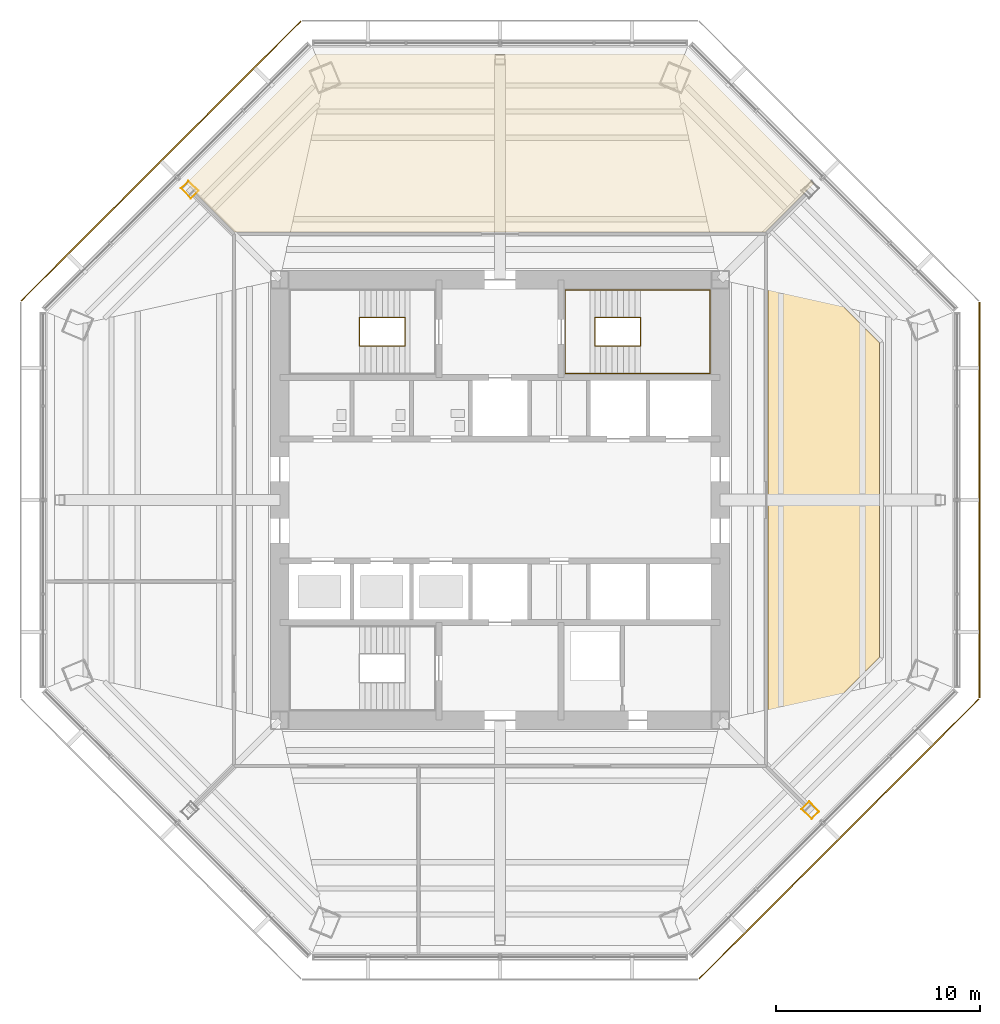
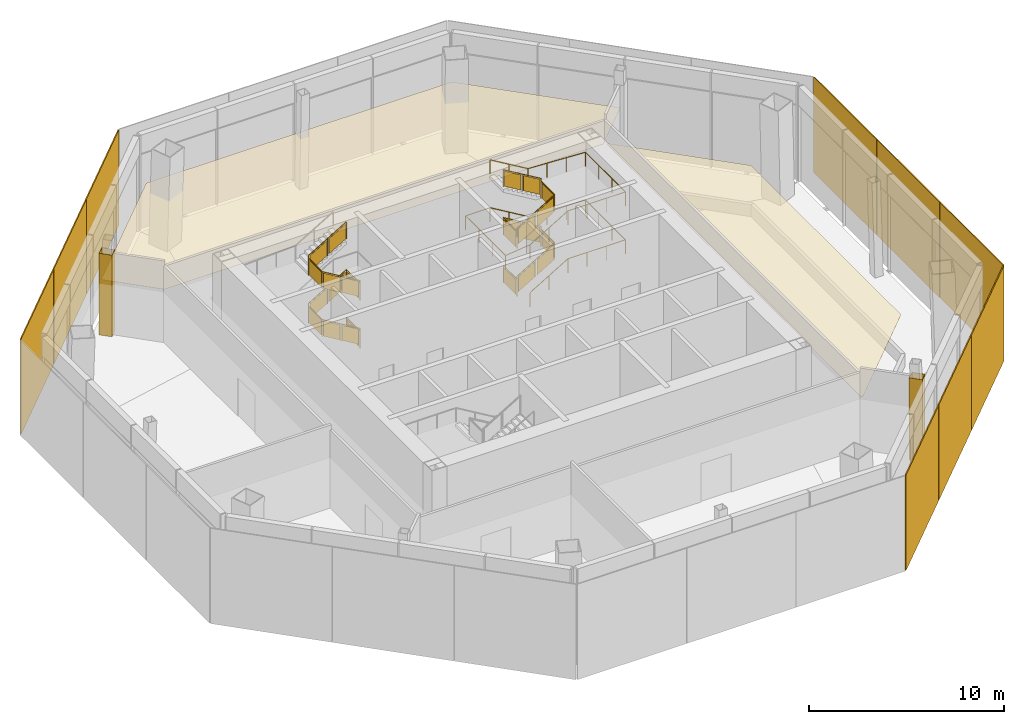
# One storey, part 10 of 13: 9 shading devices, 4 coverings, 3 railings.
"""IFC4 building model written with IfcOpenShell, lengths in metres."""

from ifc_helpers import new_model, si_unit, direction, frame, origin, origin_2d, place, context, subcontext, project, spatial, polyline, rectangle, circle, outline, extrude, source, transform, mapped, material, layer, layer_set, type_object, type_shapes, element, save


model = new_model("IFC4")

# Units and contexts
model_context = context("Model", 3, precision=1e-05, world=origin(), true_north=direction((0.0, 1.0)))
body_context = subcontext(model_context, "Body", "Model", "MODEL_VIEW")
ifc_project = project(units=[si_unit("LENGTHUNIT", "METRE"), si_unit("AREAUNIT", "SQUARE_METRE"), si_unit("VOLUMEUNIT", "CUBIC_METRE"), si_unit("PLANEANGLEUNIT", "RADIAN"), si_unit("MASSUNIT", "GRAM", prefix="KILO")], contexts=[model_context])

# Site, building, storey
site_placement = place(None, origin())
site = spatial("IfcSite", under=ifc_project, at=site_placement, CompositionType="ELEMENT")
building_placement = place(site_placement, origin())
building = spatial("IfcBuilding", under=site, at=building_placement, Name="Mashrafa Tower", CompositionType="ELEMENT")
storey_placement = place(building_placement, frame((0.0, 0.0, 198.0)))
storey = spatial("IfcBuildingStorey", under=building, at=storey_placement, Name="L45", CompositionType="ELEMENT", Elevation=198.0)

# Coverings
ifc_material_1 = material(Name="Gypsum board")
ifc_layer_1 = layer(ifc_material_1, 0.014892578125)
ifc_layer_set_1 = layer_set([ifc_layer_1], Name="Column casing plasterboard 15")
covering_type_1 = type_object("IfcCoveringType", Name="Column casing plasterboard 15", PredefinedType="CLADDING", material=ifc_layer_set_1)
covering_1_placement = place(storey_placement, origin())
element("IfcCovering", 1, at=covering_1_placement, inside=storey, type_object=covering_type_1, Name="Column casing L45-002", PredefinedType="CLADDING", context=body_context, shape_type="SweptSolid", body=[
    extrude(outline(polyline([(-15.657958984375, 15.283203125), (-15.283203125, 15.657958984375), (-14.788330078125, 15.1630859375), (-15.1630859375, 14.788330078125), (-15.657958984375, 15.283203125)]), holes=[polyline([(-14.8095703125, 15.1630859375), (-15.283203125, 15.63671875), (-15.63671875, 15.283203125), (-15.1630859375, 14.8095703125), (-14.8095703125, 15.1630859375)])]), origin(), (0.0, 0.0, 1.0), 5.11181640625),
])
covering_2_placement = place(storey_placement, origin())
element("IfcCovering", 2, at=covering_2_placement, inside=storey, type_object=covering_type_1, Name="Column casing L45-004", PredefinedType="CLADDING", context=body_context, shape_type="SweptSolid", body=[
    extrude(outline(polyline([(14.788330078125, -15.1630859375), (15.1630859375, -14.788330078125), (15.657958984375, -15.283203125), (15.283203125, -15.657958984375), (14.788330078125, -15.1630859375)]), holes=[polyline([(15.63671875, -15.283203125), (15.1630859375, -14.8095703125), (14.8095703125, -15.1630859375), (15.283203125, -15.63671875), (15.63671875, -15.283203125)])]), origin(), (0.0, 0.0, 1.0), 5.11181640625),
])

# Railings
ifc_material_2 = material(Name="Steel guard with glass infill", Category="steel")
railing_type_1 = type_object("IfcRailingType", Name="Stair guard 1100", PredefinedType="GUARDRAIL", material=ifc_material_2)
railing_1_placement = place(storey_placement, frame((-4.64990234375, 8.949951171875, 0.0)))
element("IfcRailing", 3, at=railing_1_placement, inside=storey, type_object=railing_type_1, Name="Stair S1 guard L45", PredefinedType="GUARDRAIL", context=body_context, shape_type="SweptSolid", body=[
    extrude(circle(Radius=0.02392578125, at=origin_2d()), frame((0.0, 0.0, 1.076171875), z_axis=(0.0, -1.0, 0.0), x_axis=(1.0, 0.0, 0.0)), (0.0, 0.0, 1.0), 1.39990234375),
    extrude(circle(Radius=0.02392578125, at=origin_2d()), frame((0.0, -1.39990234375, 1.076171875), z_axis=(0.0, 0.0, 1.0), x_axis=(1.0, 0.0, 0.0)), (0.0, 0.0, 1.0), 0.166748046875),
    extrude(circle(Radius=0.02392578125, at=origin_2d()), frame((0.0, -1.39990234375, 1.24267578125), z_axis=(-0.859305625298, 0.0, 0.511462454469), x_axis=(0.0, -1.0, 0.0)), (0.0, 0.0, 1.0), 2.606689453125),
    extrude(circle(Radius=0.02392578125, at=origin_2d()), frame((-2.239990234375, -1.39990234375, 2.576171875), z_axis=(0.0, 1.0, 0.0), x_axis=(-1.0, 0.0, 0.0)), (0.0, 0.0, 1.0), 1.39990234375),
    extrude(circle(Radius=0.02392578125, at=origin_2d()), frame((-2.239990234375, 0.0, 2.576171875), z_axis=(0.0, 0.0, 1.0), x_axis=(1.0, 0.0, 0.0)), (0.0, 0.0, 1.0), 0.166748046875),
    extrude(circle(Radius=0.02392578125, at=origin_2d()), frame((-2.239990234375, 0.0, 2.74267578125), z_axis=(0.859305625298, 0.0, 0.511462454469), x_axis=(0.0, 1.0, 0.0)), (0.0, 0.0, 1.0), 2.606689453125),
    extrude(circle(Radius=0.02392578125, at=origin_2d()), frame((0.0, 0.0, 4.076171875), z_axis=(0.0, -1.0, 0.0), x_axis=(1.0, 0.0, 0.0)), (0.0, 0.0, 1.0), 1.39990234375),
    extrude(circle(Radius=0.02392578125, at=origin_2d()), frame((0.0, -1.39990234375, 4.076171875), z_axis=(0.0, 0.0, 1.0), x_axis=(1.0, 0.0, 0.0)), (0.0, 0.0, 1.0), 0.166748046875),
    extrude(circle(Radius=0.02392578125, at=origin_2d()), frame((0.0, -1.39990234375, 4.24267578125), z_axis=(-0.859305625298, 0.0, 0.511462454469), x_axis=(0.0, -1.0, 0.0)), (0.0, 0.0, 1.0), 2.606689453125),
    extrude(circle(Radius=0.02392578125, at=origin_2d()), frame((-2.239990234375, -1.39990234375, 5.576171875), z_axis=(0.0, 1.0, 0.0), x_axis=(-1.0, 0.0, 0.0)), (0.0, 0.0, 1.0), 1.39990234375),
    extrude(circle(Radius=0.02392578125, at=origin_2d()), frame((-2.239990234375, 0.0, 5.576171875), z_axis=(0.0, 0.0, 1.0), x_axis=(1.0, 0.0, 0.0)), (0.0, 0.0, 1.0), 0.166748046875),
    extrude(circle(Radius=0.02392578125, at=origin_2d()), frame((-2.239990234375, 0.0, 5.74267578125), z_axis=(0.859305625298, 0.0, 0.511462454469), x_axis=(0.0, 1.0, 0.0)), (0.0, 0.0, 1.0), 2.606689453125),
    extrude(circle(Radius=0.02099609375, at=origin_2d()), origin(), (0.0, 0.0, 1.0), 1.052001953125),
    extrude(circle(Radius=0.02099609375, at=origin_2d()), frame((0.0, -1.39990234375, 0.0)), (0.0, 0.0, 1.0), 1.052001953125),
    extrude(circle(Radius=0.02099609375, at=origin_2d()), frame((0.0, -1.39990234375, 0.166748046875)), (0.0, 0.0, 1.0), 1.052001953125),
    extrude(circle(Radius=0.02099609375, at=origin_2d()), frame((-1.1201171875, -1.39990234375, 0.83349609375)), (0.0, 0.0, 1.0), 1.052001953125),
    extrude(circle(Radius=0.02099609375, at=origin_2d()), frame((-2.239990234375, -1.39990234375, 1.5)), (0.0, 0.0, 1.0), 1.052001953125),
    extrude(circle(Radius=0.02099609375, at=origin_2d()), frame((-2.239990234375, 0.0, 1.5)), (0.0, 0.0, 1.0), 1.052001953125),
    extrude(circle(Radius=0.02099609375, at=origin_2d()), frame((-2.239990234375, 0.0, 1.666748046875)), (0.0, 0.0, 1.0), 1.052001953125),
    extrude(circle(Radius=0.02099609375, at=origin_2d()), frame((-1.1201171875, 0.0, 2.33349609375)), (0.0, 0.0, 1.0), 1.052001953125),
    extrude(circle(Radius=0.02099609375, at=origin_2d()), frame((0.0, 0.0, 3.0)), (0.0, 0.0, 1.0), 1.052001953125),
    extrude(circle(Radius=0.02099609375, at=origin_2d()), frame((0.0, -1.39990234375, 3.0)), (0.0, 0.0, 1.0), 1.052001953125),
    extrude(circle(Radius=0.02099609375, at=origin_2d()), frame((0.0, -1.39990234375, 3.166748046875)), (0.0, 0.0, 1.0), 1.052001953125),
    extrude(circle(Radius=0.02099609375, at=origin_2d()), frame((-1.1201171875, -1.39990234375, 3.83349609375)), (0.0, 0.0, 1.0), 1.052001953125),
    extrude(circle(Radius=0.02099609375, at=origin_2d()), frame((-2.239990234375, -1.39990234375, 4.5)), (0.0, 0.0, 1.0), 1.052001953125),
    extrude(circle(Radius=0.02099609375, at=origin_2d()), frame((-2.239990234375, 0.0, 4.5)), (0.0, 0.0, 1.0), 1.052001953125),
    extrude(circle(Radius=0.02099609375, at=origin_2d()), frame((-2.239990234375, 0.0, 4.666748046875)), (0.0, 0.0, 1.0), 1.052001953125),
    extrude(circle(Radius=0.02099609375, at=origin_2d()), frame((-1.1201171875, 0.0, 5.33349609375)), (0.0, 0.0, 1.0), 1.052001953125),
    extrude(circle(Radius=0.02099609375, at=origin_2d()), frame((0.0, 0.0, 6.0)), (0.0, 0.0, 1.0), 1.052001953125),
    extrude(outline(polyline([(0.071044921875, 0.050048828125), (1.328857421875, 0.050048828125), (1.328857421875, 1.001953125), (0.071044921875, 1.001953125), (0.071044921875, 0.050048828125)])), frame((-0.006103515625, 0.0, 0.0), z_axis=(-1.0, 0.0, 0.0), x_axis=(0.0, -1.0, 0.0)), (0.0, 0.0, 1.0), 0.011962890625),
    extrude(outline(polyline([(0.071044921875, 0.09228515625), (1.049072265625, 0.67431640625), (1.049072265625, 1.62646484375), (0.071044921875, 1.044189453125), (0.071044921875, 0.09228515625)])), frame((0.0, -1.393798828125, 0.166748046875), z_axis=(0.0, 1.0, 0.0), x_axis=(-1.0, 0.0, 0.0)), (0.0, 0.0, 1.0), 0.011962890625),
    extrude(outline(polyline([(1.19091796875, 0.7587890625), (2.1689453125, 1.341064453125), (2.1689453125, 2.29296875), (1.19091796875, 1.7109375), (1.19091796875, 0.7587890625)])), frame((0.0, -1.393798828125, 0.166748046875), z_axis=(0.0, 1.0, 0.0), x_axis=(-1.0, 0.0, 0.0)), (0.0, 0.0, 1.0), 0.011962890625),
    extrude(outline(polyline([(0.071044921875, 0.050048828125), (1.328857421875, 0.050048828125), (1.328857421875, 1.001953125), (0.071044921875, 1.001953125), (0.071044921875, 0.050048828125)])), frame((-2.23388671875, -1.39990234375, 1.5), z_axis=(1.0, 0.0, 0.0), x_axis=(0.0, 1.0, 0.0)), (0.0, 0.0, 1.0), 0.011962890625),
    extrude(outline(polyline([(0.071044921875, 0.09228515625), (1.049072265625, 0.67431640625), (1.049072265625, 1.62646484375), (0.071044921875, 1.044189453125), (0.071044921875, 0.09228515625)])), frame((-2.239990234375, -0.006103515625, 1.666748046875), z_axis=(0.0, -1.0, 0.0), x_axis=(1.0, 0.0, 0.0)), (0.0, 0.0, 1.0), 0.011962890625),
    extrude(outline(polyline([(1.19091796875, 0.7587890625), (2.1689453125, 1.341064453125), (2.1689453125, 2.29296875), (1.19091796875, 1.7109375), (1.19091796875, 0.7587890625)])), frame((-2.239990234375, -0.006103515625, 1.666748046875), z_axis=(0.0, -1.0, 0.0), x_axis=(1.0, 0.0, 0.0)), (0.0, 0.0, 1.0), 0.011962890625),
    extrude(outline(polyline([(0.071044921875, 0.050048828125), (1.328857421875, 0.050048828125), (1.328857421875, 1.001953125), (0.071044921875, 1.001953125), (0.071044921875, 0.050048828125)])), frame((-0.006103515625, 0.0, 3.0), z_axis=(-1.0, 0.0, 0.0), x_axis=(0.0, -1.0, 0.0)), (0.0, 0.0, 1.0), 0.011962890625),
    extrude(outline(polyline([(0.071044921875, 0.09228515625), (1.049072265625, 0.67431640625), (1.049072265625, 1.62646484375), (0.071044921875, 1.044189453125), (0.071044921875, 0.09228515625)])), frame((0.0, -1.393798828125, 3.166748046875), z_axis=(0.0, 1.0, 0.0), x_axis=(-1.0, 0.0, 0.0)), (0.0, 0.0, 1.0), 0.011962890625),
    extrude(outline(polyline([(1.19091796875, 0.7587890625), (2.1689453125, 1.341064453125), (2.1689453125, 2.29296875), (1.19091796875, 1.7109375), (1.19091796875, 0.7587890625)])), frame((0.0, -1.393798828125, 3.166748046875), z_axis=(0.0, 1.0, 0.0), x_axis=(-1.0, 0.0, 0.0)), (0.0, 0.0, 1.0), 0.011962890625),
    extrude(outline(polyline([(0.071044921875, 0.050048828125), (1.328857421875, 0.050048828125), (1.328857421875, 1.001953125), (0.071044921875, 1.001953125), (0.071044921875, 0.050048828125)])), frame((-2.23388671875, -1.39990234375, 4.5), z_axis=(1.0, 0.0, 0.0), x_axis=(0.0, 1.0, 0.0)), (0.0, 0.0, 1.0), 0.011962890625),
    extrude(outline(polyline([(0.071044921875, 0.09228515625), (1.049072265625, 0.67431640625), (1.049072265625, 1.62646484375), (0.071044921875, 1.044189453125), (0.071044921875, 0.09228515625)])), frame((-2.239990234375, -0.006103515625, 4.666748046875), z_axis=(0.0, -1.0, 0.0), x_axis=(1.0, 0.0, 0.0)), (0.0, 0.0, 1.0), 0.011962890625),
    extrude(outline(polyline([(1.19091796875, 0.7587890625), (2.1689453125, 1.341064453125), (2.1689453125, 2.29296875), (1.19091796875, 1.7109375), (1.19091796875, 0.7587890625)])), frame((-2.239990234375, -0.006103515625, 4.666748046875), z_axis=(0.0, -1.0, 0.0), x_axis=(1.0, 0.0, 0.0)), (0.0, 0.0, 1.0), 0.011962890625),
])
railing_2_placement = place(storey_placement, frame((4.64990234375, 8.949951171875, 0.0)))
element("IfcRailing", 4, at=railing_2_placement, inside=storey, type_object=railing_type_1, Name="Stair S2 guard L45", PredefinedType="GUARDRAIL", context=body_context, shape_type="SweptSolid", body=[
    extrude(circle(Radius=0.02392578125, at=origin_2d()), frame((0.0, 0.0, 1.076171875), z_axis=(0.0, -1.0, 0.0), x_axis=(1.0, 0.0, 0.0)), (0.0, 0.0, 1.0), 1.39990234375),
    extrude(circle(Radius=0.02392578125, at=origin_2d()), frame((0.0, -1.39990234375, 1.076171875), z_axis=(0.0, 0.0, 1.0), x_axis=(1.0, 0.0, 0.0)), (0.0, 0.0, 1.0), 0.166748046875),
    extrude(circle(Radius=0.02392578125, at=origin_2d()), frame((0.0, -1.39990234375, 1.24267578125), z_axis=(0.859305625298, 0.0, 0.511462454469), x_axis=(0.0, 1.0, 0.0)), (0.0, 0.0, 1.0), 2.606689453125),
    extrude(circle(Radius=0.02392578125, at=origin_2d()), frame((2.239990234375, -1.39990234375, 2.576171875), z_axis=(0.0, 1.0, 0.0), x_axis=(-1.0, 0.0, 0.0)), (0.0, 0.0, 1.0), 1.39990234375),
    extrude(circle(Radius=0.02392578125, at=origin_2d()), frame((2.239990234375, 0.0, 2.576171875), z_axis=(0.0, 0.0, 1.0), x_axis=(1.0, 0.0, 0.0)), (0.0, 0.0, 1.0), 0.166748046875),
    extrude(circle(Radius=0.02392578125, at=origin_2d()), frame((2.239990234375, 0.0, 2.74267578125), z_axis=(-0.859305625298, 0.0, 0.511462454469), x_axis=(0.0, -1.0, 0.0)), (0.0, 0.0, 1.0), 2.606689453125),
    extrude(circle(Radius=0.02392578125, at=origin_2d()), frame((0.0, 0.0, 4.076171875), z_axis=(0.0, -1.0, 0.0), x_axis=(1.0, 0.0, 0.0)), (0.0, 0.0, 1.0), 1.39990234375),
    extrude(circle(Radius=0.02392578125, at=origin_2d()), frame((0.0, -1.39990234375, 4.076171875), z_axis=(0.0, 0.0, 1.0), x_axis=(1.0, 0.0, 0.0)), (0.0, 0.0, 1.0), 0.166748046875),
    extrude(circle(Radius=0.02392578125, at=origin_2d()), frame((0.0, -1.39990234375, 4.24267578125), z_axis=(0.859305625298, 0.0, 0.511462454469), x_axis=(0.0, 1.0, 0.0)), (0.0, 0.0, 1.0), 2.606689453125),
    extrude(circle(Radius=0.02392578125, at=origin_2d()), frame((2.239990234375, -1.39990234375, 5.576171875), z_axis=(0.0, 1.0, 0.0), x_axis=(-1.0, 0.0, 0.0)), (0.0, 0.0, 1.0), 1.39990234375),
    extrude(circle(Radius=0.02392578125, at=origin_2d()), frame((2.239990234375, 0.0, 5.576171875), z_axis=(0.0, 0.0, 1.0), x_axis=(1.0, 0.0, 0.0)), (0.0, 0.0, 1.0), 0.166748046875),
    extrude(circle(Radius=0.02392578125, at=origin_2d()), frame((2.239990234375, 0.0, 5.74267578125), z_axis=(-0.859305625298, 0.0, 0.511462454469), x_axis=(0.0, -1.0, 0.0)), (0.0, 0.0, 1.0), 2.606689453125),
    extrude(circle(Radius=0.02099609375, at=origin_2d()), origin(), (0.0, 0.0, 1.0), 1.052001953125),
    extrude(circle(Radius=0.02099609375, at=origin_2d()), frame((0.0, -1.39990234375, 0.0)), (0.0, 0.0, 1.0), 1.052001953125),
    extrude(circle(Radius=0.02099609375, at=origin_2d()), frame((0.0, -1.39990234375, 0.166748046875)), (0.0, 0.0, 1.0), 1.052001953125),
    extrude(circle(Radius=0.02099609375, at=origin_2d()), frame((1.1201171875, -1.39990234375, 0.83349609375)), (0.0, 0.0, 1.0), 1.052001953125),
    extrude(circle(Radius=0.02099609375, at=origin_2d()), frame((2.239990234375, -1.39990234375, 1.5)), (0.0, 0.0, 1.0), 1.052001953125),
    extrude(circle(Radius=0.02099609375, at=origin_2d()), frame((2.239990234375, 0.0, 1.5)), (0.0, 0.0, 1.0), 1.052001953125),
    extrude(circle(Radius=0.02099609375, at=origin_2d()), frame((2.239990234375, 0.0, 1.666748046875)), (0.0, 0.0, 1.0), 1.052001953125),
    extrude(circle(Radius=0.02099609375, at=origin_2d()), frame((1.1201171875, 0.0, 2.33349609375)), (0.0, 0.0, 1.0), 1.052001953125),
    extrude(circle(Radius=0.02099609375, at=origin_2d()), frame((0.0, 0.0, 3.0)), (0.0, 0.0, 1.0), 1.052001953125),
    extrude(circle(Radius=0.02099609375, at=origin_2d()), frame((0.0, -1.39990234375, 3.0)), (0.0, 0.0, 1.0), 1.052001953125),
    extrude(circle(Radius=0.02099609375, at=origin_2d()), frame((0.0, -1.39990234375, 3.166748046875)), (0.0, 0.0, 1.0), 1.052001953125),
    extrude(circle(Radius=0.02099609375, at=origin_2d()), frame((1.1201171875, -1.39990234375, 3.83349609375)), (0.0, 0.0, 1.0), 1.052001953125),
    extrude(circle(Radius=0.02099609375, at=origin_2d()), frame((2.239990234375, -1.39990234375, 4.5)), (0.0, 0.0, 1.0), 1.052001953125),
    extrude(circle(Radius=0.02099609375, at=origin_2d()), frame((2.239990234375, 0.0, 4.5)), (0.0, 0.0, 1.0), 1.052001953125),
    extrude(circle(Radius=0.02099609375, at=origin_2d()), frame((2.239990234375, 0.0, 4.666748046875)), (0.0, 0.0, 1.0), 1.052001953125),
    extrude(circle(Radius=0.02099609375, at=origin_2d()), frame((1.1201171875, 0.0, 5.33349609375)), (0.0, 0.0, 1.0), 1.052001953125),
    extrude(circle(Radius=0.02099609375, at=origin_2d()), frame((0.0, 0.0, 6.0)), (0.0, 0.0, 1.0), 1.052001953125),
    extrude(outline(polyline([(0.071044921875, 0.050048828125), (1.328857421875, 0.050048828125), (1.328857421875, 1.001953125), (0.071044921875, 1.001953125), (0.071044921875, 0.050048828125)])), frame((-0.006103515625, 0.0, 0.0), z_axis=(-1.0, 0.0, 0.0), x_axis=(0.0, -1.0, 0.0)), (0.0, 0.0, 1.0), 0.011962890625),
    extrude(outline(polyline([(0.071044921875, 0.09228515625), (1.049072265625, 0.67431640625), (1.049072265625, 1.62646484375), (0.071044921875, 1.044189453125), (0.071044921875, 0.09228515625)])), frame((0.0, -1.406005859375, 0.166748046875), z_axis=(0.0, -1.0, 0.0), x_axis=(1.0, 0.0, 0.0)), (0.0, 0.0, 1.0), 0.011962890625),
    extrude(outline(polyline([(1.19091796875, 0.7587890625), (2.1689453125, 1.341064453125), (2.1689453125, 2.29296875), (1.19091796875, 1.7109375), (1.19091796875, 0.7587890625)])), frame((0.0, -1.406005859375, 0.166748046875), z_axis=(0.0, -1.0, 0.0), x_axis=(1.0, 0.0, 0.0)), (0.0, 0.0, 1.0), 0.011962890625),
    extrude(outline(polyline([(0.071044921875, 0.050048828125), (1.328857421875, 0.050048828125), (1.328857421875, 1.001953125), (0.071044921875, 1.001953125), (0.071044921875, 0.050048828125)])), frame((2.24609375, -1.39990234375, 1.5), z_axis=(1.0, 0.0, 0.0), x_axis=(0.0, 1.0, 0.0)), (0.0, 0.0, 1.0), 0.011962890625),
    extrude(outline(polyline([(0.071044921875, 0.09228515625), (1.049072265625, 0.67431640625), (1.049072265625, 1.62646484375), (0.071044921875, 1.044189453125), (0.071044921875, 0.09228515625)])), frame((2.239990234375, 0.006103515625, 1.666748046875), z_axis=(0.0, 1.0, 0.0), x_axis=(-1.0, 0.0, 0.0)), (0.0, 0.0, 1.0), 0.011962890625),
    extrude(outline(polyline([(1.19091796875, 0.7587890625), (2.1689453125, 1.341064453125), (2.1689453125, 2.29296875), (1.19091796875, 1.7109375), (1.19091796875, 0.7587890625)])), frame((2.239990234375, 0.006103515625, 1.666748046875), z_axis=(0.0, 1.0, 0.0), x_axis=(-1.0, 0.0, 0.0)), (0.0, 0.0, 1.0), 0.011962890625),
    extrude(outline(polyline([(0.071044921875, 0.050048828125), (1.328857421875, 0.050048828125), (1.328857421875, 1.001953125), (0.071044921875, 1.001953125), (0.071044921875, 0.050048828125)])), frame((-0.006103515625, 0.0, 3.0), z_axis=(-1.0, 0.0, 0.0), x_axis=(0.0, -1.0, 0.0)), (0.0, 0.0, 1.0), 0.011962890625),
    extrude(outline(polyline([(0.071044921875, 0.09228515625), (1.049072265625, 0.67431640625), (1.049072265625, 1.62646484375), (0.071044921875, 1.044189453125), (0.071044921875, 0.09228515625)])), frame((0.0, -1.406005859375, 3.166748046875), z_axis=(0.0, -1.0, 0.0), x_axis=(1.0, 0.0, 0.0)), (0.0, 0.0, 1.0), 0.011962890625),
    extrude(outline(polyline([(1.19091796875, 0.7587890625), (2.1689453125, 1.341064453125), (2.1689453125, 2.29296875), (1.19091796875, 1.7109375), (1.19091796875, 0.7587890625)])), frame((0.0, -1.406005859375, 3.166748046875), z_axis=(0.0, -1.0, 0.0), x_axis=(1.0, 0.0, 0.0)), (0.0, 0.0, 1.0), 0.011962890625),
    extrude(outline(polyline([(0.071044921875, 0.050048828125), (1.328857421875, 0.050048828125), (1.328857421875, 1.001953125), (0.071044921875, 1.001953125), (0.071044921875, 0.050048828125)])), frame((2.24609375, -1.39990234375, 4.5), z_axis=(1.0, 0.0, 0.0), x_axis=(0.0, 1.0, 0.0)), (0.0, 0.0, 1.0), 0.011962890625),
    extrude(outline(polyline([(0.071044921875, 0.09228515625), (1.049072265625, 0.67431640625), (1.049072265625, 1.62646484375), (0.071044921875, 1.044189453125), (0.071044921875, 0.09228515625)])), frame((2.239990234375, 0.006103515625, 4.666748046875), z_axis=(0.0, 1.0, 0.0), x_axis=(-1.0, 0.0, 0.0)), (0.0, 0.0, 1.0), 0.011962890625),
    extrude(outline(polyline([(1.19091796875, 0.7587890625), (2.1689453125, 1.341064453125), (2.1689453125, 2.29296875), (1.19091796875, 1.7109375), (1.19091796875, 0.7587890625)])), frame((2.239990234375, 0.006103515625, 4.666748046875), z_axis=(0.0, 1.0, 0.0), x_axis=(-1.0, 0.0, 0.0)), (0.0, 0.0, 1.0), 0.011962890625),
])
ifc_material_3 = material(Name="Steel", Category="steel")
railing_type_2 = type_object("IfcRailingType", Name="Stair handrail 900", PredefinedType="HANDRAIL", material=ifc_material_3)
railing_3_placement = place(storey_placement, frame((4.64990234375, 6.199951171875, 0.166748046875)))
element("IfcRailing", 5, at=railing_3_placement, inside=storey, type_object=railing_type_2, Name="Stair S2 handrail L45", PredefinedType="HANDRAIL", context=body_context, shape_type="SweptSolid", body=[
    extrude(circle(Radius=0.02392578125, at=origin_2d()), frame((0.0, 0.0, 0.8759765625), z_axis=(0.859305625298, 0.0, 0.511462454469), x_axis=(0.0, 1.0, 0.0)), (0.0, 0.0, 1.0), 2.606689453125),
    extrude(circle(Radius=0.02392578125, at=origin_2d()), frame((2.239990234375, 0.0, 2.208984375), z_axis=(1.0, 0.0, 0.0), x_axis=(0.0, 1.0, 0.0)), (0.0, 0.0, 1.0), 3.41015625),
    extrude(circle(Radius=0.02392578125, at=origin_2d()), frame((5.650146484375, 0.0, 2.208984375), z_axis=(0.0, 1.0, 0.0), x_axis=(-1.0, 0.0, 0.0)), (0.0, 0.0, 1.0), 4.10009765625),
    extrude(circle(Radius=0.02392578125, at=origin_2d()), frame((5.650146484375, 4.10009765625, 2.208984375), z_axis=(-0.99880665773, 0.0, 0.048839128524), x_axis=(0.0, -1.0, 0.0)), (0.0, 0.0, 1.0), 3.414306640625),
    extrude(circle(Radius=0.02392578125, at=origin_2d()), frame((2.239990234375, 4.10009765625, 2.3759765625), z_axis=(-0.859305625298, 0.0, 0.511462454469), x_axis=(0.0, -1.0, 0.0)), (0.0, 0.0, 1.0), 2.606689453125),
    extrude(circle(Radius=0.02392578125, at=origin_2d()), frame((0.0, 4.10009765625, 3.708984375), z_axis=(-1.0, 0.0, 0.0), x_axis=(0.0, -1.0, 0.0)), (0.0, 0.0, 1.0), 1.449951171875),
    extrude(circle(Radius=0.02392578125, at=origin_2d()), frame((-1.449951171875, 4.10009765625, 3.708984375), z_axis=(0.0, -1.0, 0.0), x_axis=(1.0, 0.0, 0.0)), (0.0, 0.0, 1.0), 4.10009765625),
    extrude(circle(Radius=0.02392578125, at=origin_2d()), frame((-1.449951171875, 0.0, 3.708984375), z_axis=(0.993452088381, 0.0, 0.114249499304), x_axis=(0.0, 1.0, 0.0)), (0.0, 0.0, 1.0), 1.45947265625),
    extrude(circle(Radius=0.02392578125, at=origin_2d()), frame((0.0, 0.0, 3.8759765625), z_axis=(0.859305625298, 0.0, 0.511462454469), x_axis=(0.0, 1.0, 0.0)), (0.0, 0.0, 1.0), 2.606689453125),
    extrude(circle(Radius=0.02392578125, at=origin_2d()), frame((2.239990234375, 0.0, 5.208984375), z_axis=(1.0, 0.0, 0.0), x_axis=(0.0, 1.0, 0.0)), (0.0, 0.0, 1.0), 3.41015625),
    extrude(circle(Radius=0.02392578125, at=origin_2d()), frame((5.650146484375, 0.0, 5.208984375), z_axis=(0.0, 1.0, 0.0), x_axis=(-1.0, 0.0, 0.0)), (0.0, 0.0, 1.0), 4.10009765625),
    extrude(circle(Radius=0.02392578125, at=origin_2d()), frame((5.650146484375, 4.10009765625, 5.208984375), z_axis=(-0.99880665773, 0.0, 0.048839128524), x_axis=(0.0, -1.0, 0.0)), (0.0, 0.0, 1.0), 3.414306640625),
    extrude(circle(Radius=0.02392578125, at=origin_2d()), frame((2.239990234375, 4.10009765625, 5.3759765625), z_axis=(-0.859305625298, 0.0, 0.511462454469), x_axis=(0.0, -1.0, 0.0)), (0.0, 0.0, 1.0), 2.606689453125),
    extrude(circle(Radius=0.02099609375, at=origin_2d()), origin(), (0.0, 0.0, 1.0), 0.851806640625),
    extrude(circle(Radius=0.02099609375, at=origin_2d()), frame((1.1201171875, 0.0, 0.66650390625)), (0.0, 0.0, 1.0), 0.851806640625),
    extrude(circle(Radius=0.02099609375, at=origin_2d()), frame((2.239990234375, 0.0, 1.333251953125)), (0.0, 0.0, 1.0), 0.851806640625),
    extrude(circle(Radius=0.02099609375, at=origin_2d()), frame((3.376708984375, 0.0, 1.333251953125)), (0.0, 0.0, 1.0), 0.851806640625),
    extrude(circle(Radius=0.02099609375, at=origin_2d()), frame((4.513427734375, 0.0, 1.333251953125)), (0.0, 0.0, 1.0), 0.851806640625),
    extrude(circle(Radius=0.02099609375, at=origin_2d()), frame((5.650146484375, 0.0, 1.333251953125)), (0.0, 0.0, 1.0), 0.851806640625),
    extrude(circle(Radius=0.02099609375, at=origin_2d()), frame((5.650146484375, 1.36669921875, 1.333251953125)), (0.0, 0.0, 1.0), 0.851806640625),
    extrude(circle(Radius=0.02099609375, at=origin_2d()), frame((5.650146484375, 2.7333984375, 1.333251953125)), (0.0, 0.0, 1.0), 0.851806640625),
    extrude(circle(Radius=0.02099609375, at=origin_2d()), frame((5.650146484375, 4.10009765625, 1.333251953125)), (0.0, 0.0, 1.0), 0.851806640625),
    extrude(circle(Radius=0.02099609375, at=origin_2d()), frame((4.513427734375, 4.10009765625, 1.388916015625)), (0.0, 0.0, 1.0), 0.851806640625),
    extrude(circle(Radius=0.02099609375, at=origin_2d()), frame((3.376708984375, 4.10009765625, 1.4443359375)), (0.0, 0.0, 1.0), 0.851806640625),
    extrude(circle(Radius=0.02099609375, at=origin_2d()), frame((2.239990234375, 4.10009765625, 1.5)), (0.0, 0.0, 1.0), 0.851806640625),
    extrude(circle(Radius=0.02099609375, at=origin_2d()), frame((1.1201171875, 4.10009765625, 2.16650390625)), (0.0, 0.0, 1.0), 0.851806640625),
    extrude(circle(Radius=0.02099609375, at=origin_2d()), frame((0.0, 4.10009765625, 2.833251953125)), (0.0, 0.0, 1.0), 0.851806640625),
    extrude(circle(Radius=0.02099609375, at=origin_2d()), frame((-1.449951171875, 4.10009765625, 2.833251953125)), (0.0, 0.0, 1.0), 0.851806640625),
    extrude(circle(Radius=0.02099609375, at=origin_2d()), frame((-1.449951171875, 2.7333984375, 2.833251953125)), (0.0, 0.0, 1.0), 0.851806640625),
    extrude(circle(Radius=0.02099609375, at=origin_2d()), frame((-1.449951171875, 1.36669921875, 2.833251953125)), (0.0, 0.0, 1.0), 0.851806640625),
    extrude(circle(Radius=0.02099609375, at=origin_2d()), frame((-1.449951171875, 0.0, 2.833251953125)), (0.0, 0.0, 1.0), 0.851806640625),
    extrude(circle(Radius=0.02099609375, at=origin_2d()), frame((0.0, 0.0, 3.0)), (0.0, 0.0, 1.0), 0.851806640625),
    extrude(circle(Radius=0.02099609375, at=origin_2d()), frame((1.1201171875, 0.0, 3.66650390625)), (0.0, 0.0, 1.0), 0.851806640625),
    extrude(circle(Radius=0.02099609375, at=origin_2d()), frame((2.239990234375, 0.0, 4.333251953125)), (0.0, 0.0, 1.0), 0.851806640625),
    extrude(circle(Radius=0.02099609375, at=origin_2d()), frame((3.376708984375, 0.0, 4.333251953125)), (0.0, 0.0, 1.0), 0.851806640625),
    extrude(circle(Radius=0.02099609375, at=origin_2d()), frame((4.513427734375, 0.0, 4.333251953125)), (0.0, 0.0, 1.0), 0.851806640625),
    extrude(circle(Radius=0.02099609375, at=origin_2d()), frame((5.650146484375, 0.0, 4.333251953125)), (0.0, 0.0, 1.0), 0.851806640625),
    extrude(circle(Radius=0.02099609375, at=origin_2d()), frame((5.650146484375, 1.36669921875, 4.333251953125)), (0.0, 0.0, 1.0), 0.851806640625),
    extrude(circle(Radius=0.02099609375, at=origin_2d()), frame((5.650146484375, 2.7333984375, 4.333251953125)), (0.0, 0.0, 1.0), 0.851806640625),
    extrude(circle(Radius=0.02099609375, at=origin_2d()), frame((5.650146484375, 4.10009765625, 4.333251953125)), (0.0, 0.0, 1.0), 0.851806640625),
    extrude(circle(Radius=0.02099609375, at=origin_2d()), frame((4.513427734375, 4.10009765625, 4.388916015625)), (0.0, 0.0, 1.0), 0.851806640625),
    extrude(circle(Radius=0.02099609375, at=origin_2d()), frame((3.376708984375, 4.10009765625, 4.4443359375)), (0.0, 0.0, 1.0), 0.851806640625),
    extrude(circle(Radius=0.02099609375, at=origin_2d()), frame((2.239990234375, 4.10009765625, 4.5)), (0.0, 0.0, 1.0), 0.851806640625),
    extrude(circle(Radius=0.02099609375, at=origin_2d()), frame((1.1201171875, 4.10009765625, 5.16650390625)), (0.0, 0.0, 1.0), 0.851806640625),
    extrude(circle(Radius=0.02099609375, at=origin_2d()), frame((0.0, 4.10009765625, 5.833251953125)), (0.0, 0.0, 1.0), 0.851806640625),
])

# Coverings
ifc_material_4 = material(Name="Gypsum board on suspension grid")
ifc_layer_2 = layer(ifc_material_4, 0.012451171875)
ifc_layer_set_2 = layer_set([ifc_layer_2], Name="Suspended ceiling gypsum 12.5")
covering_type_2 = type_object("IfcCoveringType", Name="Suspended ceiling gypsum 12.5", PredefinedType="CEILING", material=ifc_layer_set_2)
covering_3_placement = place(storey_placement, frame((0.0, 0.0, 3.199951171875)))
element("IfcCovering", 6, at=covering_3_placement, inside=storey, type_object=covering_type_2, Name="Ceiling Function Room L45", PredefinedType="CEILING", context=body_context, shape_type="SweptSolid", body=[
    extrude(outline(polyline([(13.008544921875, 13.14990234375), (-13.008544921875, 13.14990234375), (-15.38916015625, 15.530517578125), (-9.05615234375, 21.863525390625), (9.05615234375, 21.863525390625), (15.38916015625, 15.530517578125), (13.008544921875, 13.14990234375)])), origin(), (0.0, 0.0, 1.0), 0.012451171875),
])
covering_4_placement = place(storey_placement, frame((0.0, 0.0, 3.199951171875)))
element("IfcCovering", 7, at=covering_4_placement, inside=storey, type_object=covering_type_2, Name="Ceiling Sky Garden East L45", PredefinedType="CEILING", context=body_context, shape_type="SweptSolid", body=[
    extrude(outline(polyline([(13.14990234375, 13.008544921875), (13.232421875, 13.091064453125), (18.613525390625, 7.7099609375), (18.613525390625, -7.7099609375), (13.232421875, -13.091064453125), (13.14990234375, -13.008544921875), (13.14990234375, 13.008544921875)])), origin(), (0.0, 0.0, 1.0), 0.012451171875),
])

# Shading devices
ifc_material_5 = material(Name="Perforated aluminium plate, eight-point star pattern", Category="aluminium")
ifc_layer_3 = layer(ifc_material_5, 0.06005859375)
ifc_layer_set_3 = layer_set([ifc_layer_3], Name="Mashrabiya screen panel sky garden, 60 percent open")
shading_device_type = type_object("IfcShadingDeviceType", Name="Mashrabiya screen panel sky garden, 60 percent open", PredefinedType="SHUTTER", material=ifc_layer_set_3)
shared_shape = source(origin(), body_context, "Body", "SweptSolid", [
    extrude(rectangle(XDim=6.458251953125, YDim=0.06005859375, at=origin_2d()), origin(), (0.0, 0.0, 1.0), 5.97998046875),
])
type_shapes(shading_device_type, [shared_shape])
for number, where, z_axis, x_axis, name in (
    (8, (23.513671875, -6.47802734375, -0.14990234375), (0.0, 0.0, 1.0), (0.0, 1.0, 0.0), "Mashrabiya screen L45 east 1"),
    (9, (23.513671875, 0.0, -0.14990234375), (0.0, 0.0, 1.0), (0.0, 1.0, 0.0), "Mashrabiya screen L45 east 2"),
    (10, (23.513671875, 6.47802734375, -0.14990234375), (0.0, 0.0, 1.0), (0.0, 1.0, 0.0), "Mashrabiya screen L45 east 3"),
    (11, (-12.0458984375, 21.207275390625, -0.14990234375), (0.0, 0.0, 1.0), (-0.707106781187, -0.707106781187, 0.0), "Mashrabiya screen L45 north-west 1"),
    (12, (-16.626708984375, 16.626708984375, -0.14990234375), (0.0, 0.0, 1.0), (-0.707106781187, -0.707106781187, 0.0), "Mashrabiya screen L45 north-west 2"),
    (13, (-21.207275390625, 12.0458984375, -0.14990234375), (0.0, 0.0, 1.0), (-0.707106781187, -0.707106781187, 0.0), "Mashrabiya screen L45 north-west 3"),
    (14, (12.0458984375, -21.207275390625, -0.14990234375), (0.0, 0.0, 1.0), (0.707106781187, 0.707106781187, 0.0), "Mashrabiya screen L45 south-east 1"),
    (15, (16.626708984375, -16.626708984375, -0.14990234375), (0.0, 0.0, 1.0), (0.707106781187, 0.707106781187, 0.0), "Mashrabiya screen L45 south-east 2"),
    (16, (21.207275390625, -12.0458984375, -0.14990234375), (0.0, 0.0, 1.0), (0.707106781187, 0.707106781187, 0.0), "Mashrabiya screen L45 south-east 3"),
):
    element("IfcShadingDevice", number, at=place(storey_placement, frame(where, z_axis=z_axis, x_axis=x_axis)), inside=storey, type_object=shading_device_type, Name=name, PredefinedType="SHUTTER", context=body_context, shape_type="MappedRepresentation", body=[
        mapped(shared_shape, transform((0.0, 0.0, 0.0))),
    ])

save(model, "model.ifc")
